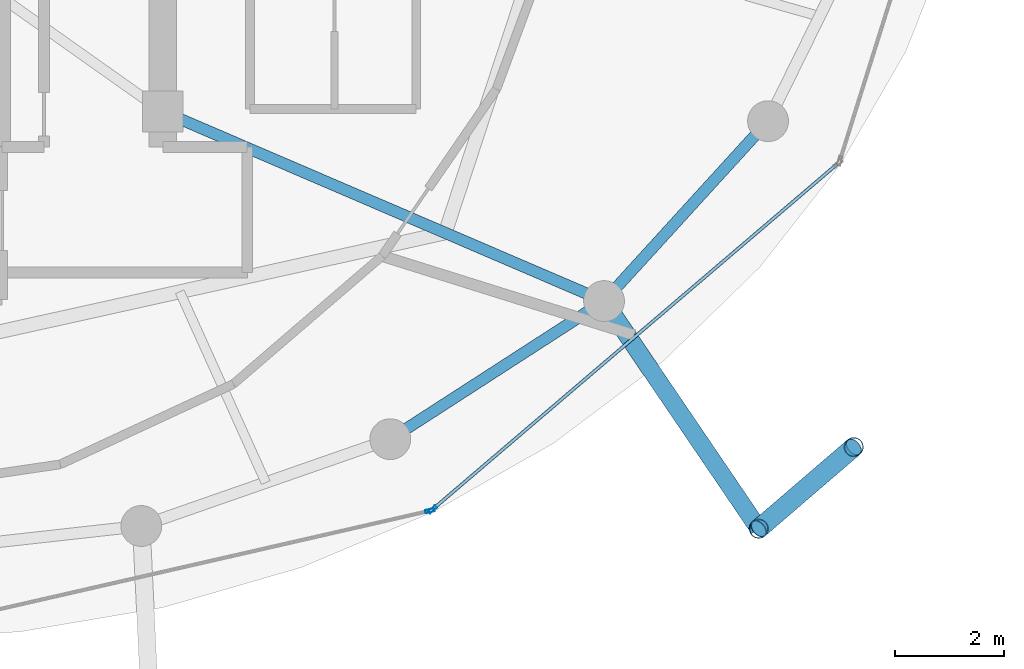
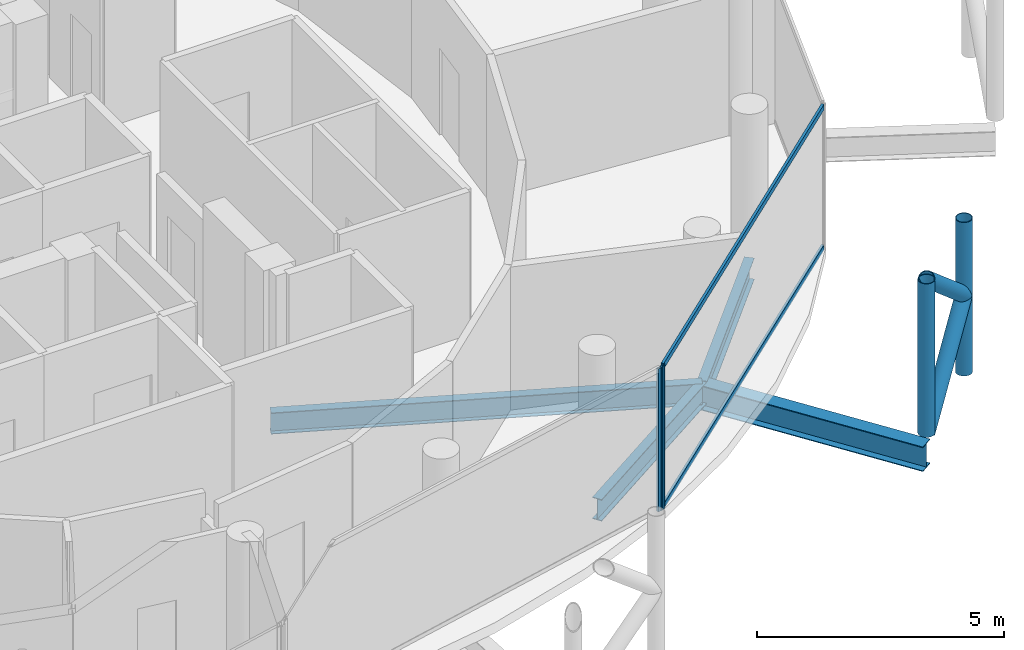
# One storey, part 9 of 24: 8 members, 4 beams, 2 elements without a shape of their own.
"""IFC4 building model written with IfcOpenShell, lengths in metres."""

from ifc_helpers import new_model, si_unit, direction, frame, origin, origin_2d, place, context, subcontext, project, spatial, hollow_rectangle, hollow_circle, i_section, extrude, material, layer, layer_set, material_profile, profile_set, type_object, element, aggregate, save


model = new_model("IFC4")

# Units and contexts
model_context = context("Model", 3, precision=1e-05, world=origin(), true_north=direction((0.0, 1.0)))
body_context = subcontext(model_context, "Body", "Model", "MODEL_VIEW")
ifc_project = project(units=[si_unit("LENGTHUNIT", "METRE"), si_unit("AREAUNIT", "SQUARE_METRE"), si_unit("VOLUMEUNIT", "CUBIC_METRE"), si_unit("PLANEANGLEUNIT", "RADIAN"), si_unit("MASSUNIT", "GRAM", prefix="KILO")], contexts=[model_context])

# Site, building, storey
site_placement = place(None, origin())
site = spatial("IfcSite", under=ifc_project, at=site_placement, CompositionType="ELEMENT")
building_placement = place(site_placement, origin())
building = spatial("IfcBuilding", under=site, at=building_placement, Name="Nuhasar Tower", CompositionType="ELEMENT")
storey_placement = place(building_placement, frame((0.0, 0.0, 293.60009765625)))
storey = spatial("IfcBuildingStorey", under=building, at=storey_placement, Name="L73", CompositionType="ELEMENT", Elevation=293.60009765625)

# Beams
ifc_material_1 = material(Name="Steel S355", Category="steel")
ifc_material_profile_1 = material_profile(ifc_material_1, i_section(OverallWidth=0.208984375, OverallDepth=0.528076171875, WebThickness=0.009521484375, FlangeThickness=0.01318359375, at=origin_2d()), Name="W21X55")
ifc_profile_set_1 = profile_set([ifc_material_profile_1], Name="Steel S355")
beam_type_1 = type_object("IfcBeamType", Name="BM-RAD-W21X55", PredefinedType="BEAM", material=ifc_profile_set_1)
beam_1_placement = place(storey_placement, frame((44.300048828125, 19.0, -0.524169921875), z_axis=(0.91887119061, -0.394557644797, 0.0), x_axis=(0.394557644797, 0.91887119061, 0.0)))
element("IfcBeam", 1, at=beam_1_placement, inside=storey, type_object=beam_type_1, Name="L73 Radial Floor Girder 03", PredefinedType="BEAM", context=body_context, shape_type="SweptSolid", body=[
    extrude(i_section(OverallWidth=0.208984375, OverallDepth=0.528076171875, WebThickness=0.009521484375, FlangeThickness=0.01318359375, at=origin_2d()), origin(), (0.0, 0.0, 1.0), 8.81494140625),
])
ifc_material_profile_2 = material_profile(ifc_material_1, i_section(OverallWidth=0.2099609375, OverallDepth=0.537109375, WebThickness=0.010986328125, FlangeThickness=0.017333984375, at=origin_2d()), Name="W21X68")
ifc_profile_set_2 = profile_set([ifc_material_profile_2], Name="Steel S355")
beam_type_2 = type_object("IfcBeamType", Name="BM-RING-W21X68", PredefinedType="SPANDREL", material=ifc_profile_set_2)
beam_2_placement = place(storey_placement, frame((48.47509765625, 12.987060546875, -0.529052734375), z_axis=(0.840025485934, 0.542546940809, 0.0), x_axis=(-0.542546940809, 0.840025485934, 0.0)))
element("IfcBeam", 2, at=beam_2_placement, inside=storey, type_object=beam_type_2, Name="L73 Perimeter Ring Spandrel 21", PredefinedType="SPANDREL", context=body_context, shape_type="SweptSolid", body=[
    extrude(i_section(OverallWidth=0.2099609375, OverallDepth=0.537109375, WebThickness=0.010986328125, FlangeThickness=0.017333984375, at=origin_2d()), origin(), (0.0, 0.0, 1.0), 4.67236328125),
])
beam_3_placement = place(storey_placement, frame((52.39990234375, 15.52197265625, -0.529052734375), z_axis=(0.673686302939, 0.739017432293, 0.0), x_axis=(-0.739017432293, 0.673686302939, 0.0)))
element("IfcBeam", 3, at=beam_3_placement, inside=storey, type_object=beam_type_2, Name="L73 Perimeter Ring Spandrel 22", PredefinedType="SPANDREL", context=body_context, shape_type="SweptSolid", body=[
    extrude(i_section(OverallWidth=0.2099609375, OverallDepth=0.537109375, WebThickness=0.010986328125, FlangeThickness=0.017333984375, at=origin_2d()), origin(), (0.0, 0.0, 1.0), 4.469482421875),
])
ifc_material_profile_3 = material_profile(ifc_material_1, i_section(OverallWidth=0.323974609375, OverallDepth=0.611083984375, WebThickness=0.0126953125, FlangeThickness=0.01904296875, at=origin_2d()), Name="W24X104")
ifc_profile_set_3 = profile_set([ifc_material_profile_3], Name="Steel S355")
beam_type_3 = type_object("IfcBeamType", Name="BM-TIE-W24X104", PredefinedType="BEAM", material=ifc_profile_set_3)
beam_4_placement = place(storey_placement, frame((52.39990234375, 15.52197265625, -0.566162109375), z_axis=(0.562093254487, -0.827073862034, 0.0), x_axis=(0.827073862034, 0.562093254487, 0.0)))
element("IfcBeam", 4, at=beam_4_placement, inside=storey, type_object=beam_type_3, Name="L73 Exoskeleton Node Tie Beam 11", PredefinedType="BEAM", context=body_context, shape_type="SweptSolid", body=[
    extrude(i_section(OverallWidth=0.323974609375, OverallDepth=0.611083984375, WebThickness=0.0126953125, FlangeThickness=0.01904296875, at=origin_2d()), origin(), (0.0, 0.0, 1.0), 5.052734375),
])

# Curtain wall, member
ifc_material_2 = material(Name="Aluminium 6063-T6", Category="aluminium")
ifc_layer = layer(ifc_material_2, 0.18994140625)
ifc_layer_set = layer_set([ifc_layer], Name="Aluminium 6063-T6")
curtain_wall_type = type_object("IfcCurtainWallType", Name="CW-Z4-PEN", PredefinedType="NOTDEFINED", material=ifc_layer_set)
curtain_wall_1_placement = place(storey_placement, origin())
curtain_wall_1 = element("IfcCurtainWall", 5, at=curtain_wall_1_placement, inside=storey, type_object=curtain_wall_type, Name="L73 Unitised Curtain Wall 10", PredefinedType="NOTDEFINED")
ifc_material_profile_4 = material_profile(ifc_material_2, hollow_rectangle(XDim=0.06005859375, YDim=0.1650390625, WallThickness=0.0048828125, at=origin_2d()), Name="CWM-5")
ifc_profile_set_4 = profile_set([ifc_material_profile_4], Name="Aluminium 6063-T6")
member_type_1 = type_object("IfcMemberType", Name="CW-MUL-S5", PredefinedType="MULLION", material=ifc_profile_set_4)
member_1_placement = place(storey_placement, frame((49.20068359375, 11.67236328125, 0.0), z_axis=(0.0, 0.0, 1.0), x_axis=(-0.222889487645, 0.97484371891, 0.0)))
member_1 = element("IfcMember", 6, at=member_1_placement, type_object=member_type_1, Name="CW-Z4 mullion 2", PredefinedType="MULLION", context=body_context, shape_type="SweptSolid", body=[
    extrude(hollow_rectangle(XDim=0.06005859375, YDim=0.1650390625, WallThickness=0.0048828125, at=origin_2d()), origin(), (0.0, 0.0, 1.0), 3.539794921875),
])
aggregate(curtain_wall_1, [member_1])

# Curtain wall, members
curtain_wall_2_placement = place(storey_placement, origin())
curtain_wall_2 = element("IfcCurtainWall", 7, at=curtain_wall_2_placement, inside=storey, type_object=curtain_wall_type, Name="L73 Unitised Curtain Wall 11", PredefinedType="NOTDEFINED")
member_2_placement = place(storey_placement, frame((49.2529296875, 11.698486328125, 0.0), z_axis=(0.0, 0.0, 1.0), x_axis=(-0.649141996205, 0.760667252327, 0.0)))
member_2 = element("IfcMember", 8, at=member_2_placement, type_object=member_type_1, Name="CW-Z4 mullion 1", PredefinedType="MULLION", context=body_context, shape_type="SweptSolid", body=[
    extrude(hollow_rectangle(XDim=0.06005859375, YDim=0.1650390625, WallThickness=0.0048828125, at=origin_2d()), origin(), (0.0, 0.0, 1.0), 3.539794921875),
])
ifc_material_profile_5 = material_profile(ifc_material_2, hollow_rectangle(XDim=0.06005859375, YDim=0.135009765625, WallThickness=0.00439453125, at=origin_2d()), Name="CWT-5")
ifc_profile_set_5 = profile_set([ifc_material_profile_5], Name="Aluminium 6063-T6")
member_type_2 = type_object("IfcMemberType", Name="CW-TRN-S5", PredefinedType="USERDEFINED", material=ifc_profile_set_5)
member_3_placement = place(storey_placement, frame((49.275634765625, 11.718017578125, 0.02978515625), z_axis=(0.760672431431, 0.649135927261, 0.0), x_axis=(-0.649135927261, 0.760672431431, 0.0)))
member_3 = element("IfcMember", 9, at=member_3_placement, type_object=member_type_2, Name="CW-Z4 transom 1.1", ObjectType="TRANSOM", PredefinedType="USERDEFINED", context=body_context, shape_type="SweptSolid", body=[
    extrude(hollow_rectangle(XDim=0.06005859375, YDim=0.135009765625, WallThickness=0.00439453125, at=origin_2d()), origin(), (0.0, 0.0, 1.0), 9.72509765625),
])
member_4_placement = place(storey_placement, frame((49.275634765625, 11.718017578125, 3.510009765625), z_axis=(0.760672431431, 0.649135927261, 0.0), x_axis=(-0.649135927261, 0.760672431431, 0.0)))
member_4 = element("IfcMember", 10, at=member_4_placement, type_object=member_type_2, Name="CW-Z4 transom 1.2", ObjectType="TRANSOM", PredefinedType="USERDEFINED", context=body_context, shape_type="SweptSolid", body=[
    extrude(hollow_rectangle(XDim=0.06005859375, YDim=0.135009765625, WallThickness=0.00439453125, at=origin_2d()), origin(), (0.0, 0.0, 1.0), 9.72509765625),
])
aggregate(curtain_wall_2, [member_2, member_3, member_4])

# Members
ifc_material_3 = material(Name="Steel S460", Category="steel")
ifc_material_profile_6 = material_profile(ifc_material_3, hollow_circle(Radius=0.177734375, WallThickness=0.015869140625, at=origin_2d()), Name="HSS355.6X15.9")
ifc_profile_set_6 = profile_set([ifc_material_profile_6], Name="Steel S460")
member_type_3 = type_object("IfcMemberType", Name="EXO-BRONZE-356", PredefinedType="BRACE", material=ifc_profile_set_6)
for number, where, z_axis, x_axis, name in (
    (11, (55.239990234375, 11.343017578125, 0.0), (0.0, 0.0, 1.0), (1.0, 0.0, 0.0), "L73 Exoskeleton Chord Column EC-11A"),
    (12, (56.98388671875, 12.842041015625, 0.0), (0.0, 0.0, 1.0), (1.0, 0.0, 0.0), "L73 Exoskeleton Chord Column EC-11B"),
):
    element("IfcMember", number, at=place(storey_placement, frame(where, z_axis=z_axis, x_axis=x_axis)), inside=storey, type_object=member_type_3, Name=name, PredefinedType="BRACE", context=body_context, shape_type="SweptSolid", body=[
        extrude(hollow_circle(Radius=0.177734375, WallThickness=0.015869140625, at=origin_2d()), origin(), (0.0, 0.0, 1.0), 3.7998046875),
    ])
for number, where, z_axis, x_axis, name in (
    (13, (55.239990234375, 11.343017578125, 0.0), (0.584625223306, 0.502533791278, 0.636924749792), (-0.65185738425, 0.758341579104, 0.0), "L73 Bronze Diagrid Brace W1-11"),
    (14, (56.98388671875, 12.842041015625, 1.89990234375), (-0.584625223306, -0.502533791278, 0.636924749792), (0.65185738425, -0.758341579104, 0.0), "L73 Bronze Diagrid Brace W2-11"),
):
    element("IfcMember", number, at=place(storey_placement, frame(where, z_axis=z_axis, x_axis=x_axis)), inside=storey, type_object=member_type_3, Name=name, PredefinedType="BRACE", context=body_context, shape_type="SweptSolid", body=[
        extrude(hollow_circle(Radius=0.177734375, WallThickness=0.015869140625, at=origin_2d()), origin(), (0.0, 0.0, 1.0), 2.98291015625),
    ])

save(model, "model.ifc")
